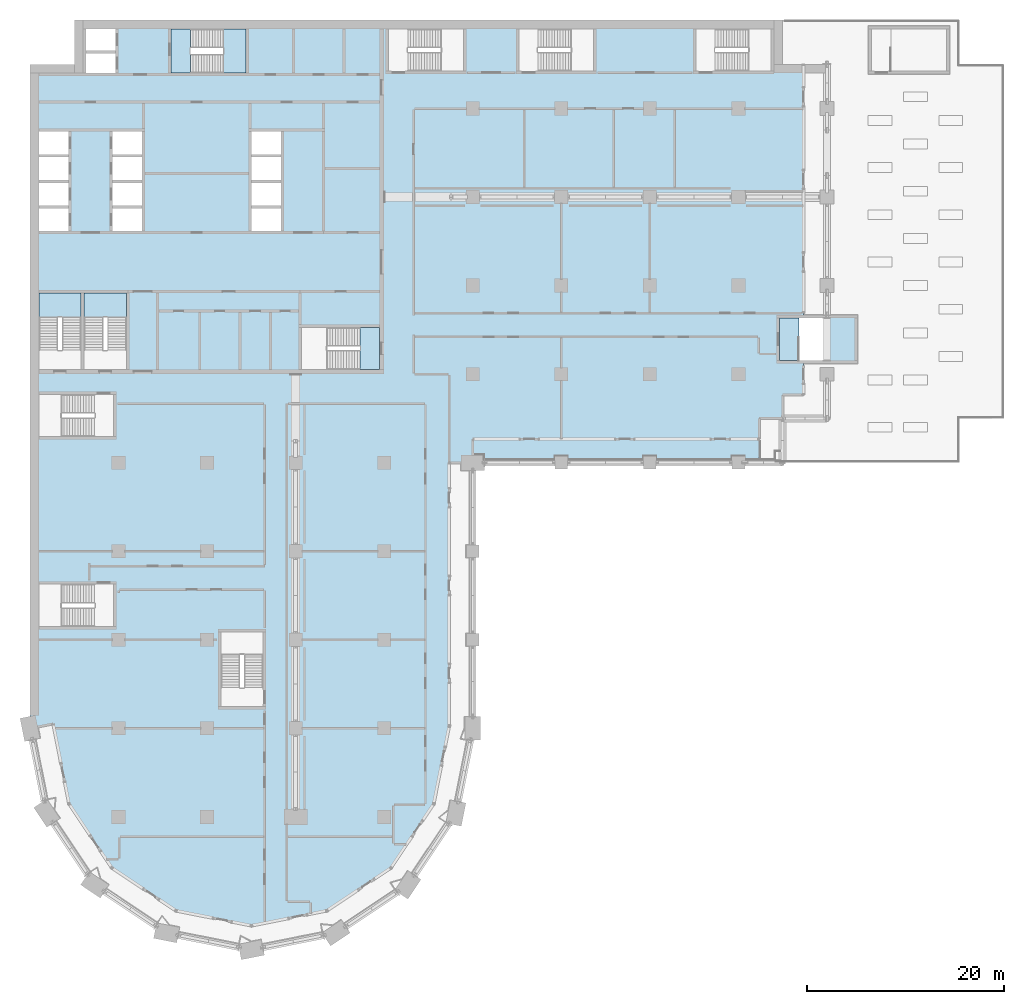
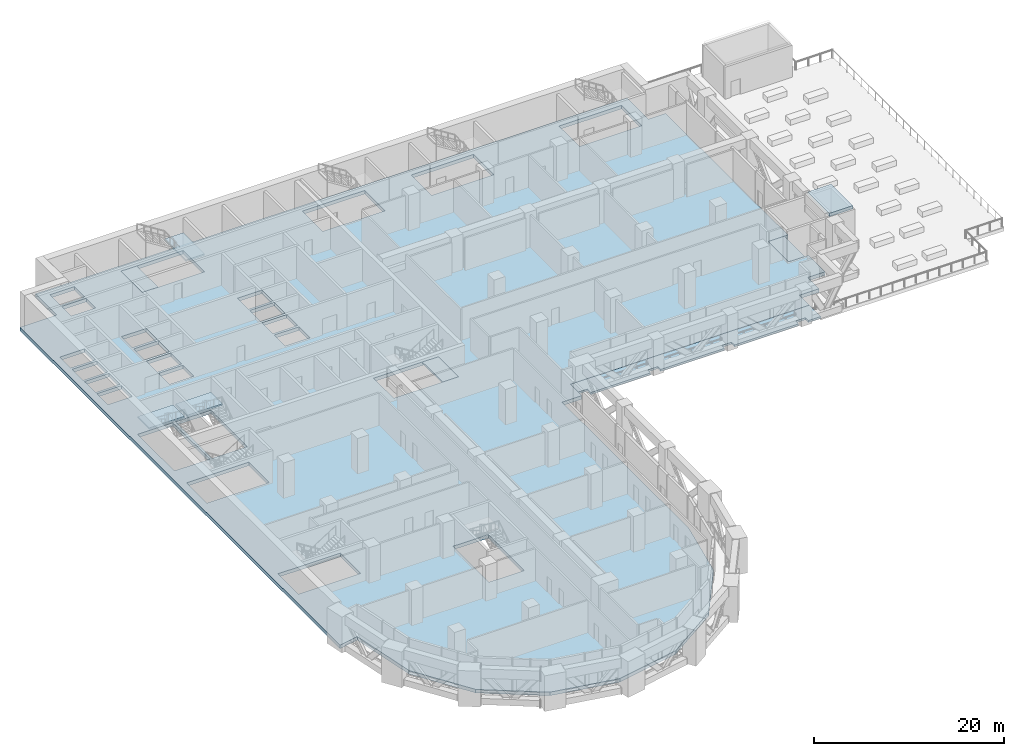
# One storey, part 6 of 24: 9 slabs, 3 elements without a shape of their own.
"""IFC4 building model written with IfcOpenShell, lengths in metres."""

from ifc_helpers import new_model, si_unit, direction, frame, origin, place, context, subcontext, project, spatial, polyline, outline, extrude, material, layer, layer_set, type_object, element, aggregate, save


model = new_model("IFC4")

# Units and contexts
model_context = context("Model", 3, precision=1e-05, world=origin(), true_north=direction((0.0, 1.0)))
body_context = subcontext(model_context, "Body", "Model", "MODEL_VIEW")
ifc_project = project(units=[si_unit("LENGTHUNIT", "METRE"), si_unit("AREAUNIT", "SQUARE_METRE"), si_unit("VOLUMEUNIT", "CUBIC_METRE"), si_unit("PLANEANGLEUNIT", "RADIAN"), si_unit("MASSUNIT", "GRAM", prefix="KILO")], contexts=[model_context])

# Site, building, storey
site_placement = place(None, origin())
site = spatial("IfcSite", under=ifc_project, at=site_placement, CompositionType="ELEMENT")
building_placement = place(site_placement, origin())
building = spatial("IfcBuilding", under=site, at=building_placement, Name="Hunhe Ridgeline Campus", CompositionType="ELEMENT")
storey_placement = place(building_placement, frame((0.0, 0.0, 80.199951171875)))
storey = spatial("IfcBuildingStorey", under=building, at=storey_placement, Name="L19", CompositionType="ELEMENT", Elevation=80.199951171875)

# Slabs
ifc_material = material(Name="Concrete C40", Category="concrete")
ifc_layer_1 = layer(ifc_material, 0.449951171875)
ifc_layer_set_1 = layer_set([ifc_layer_1], Name="Floor slab 450 Concrete C40")
slab_type_1 = type_object("IfcSlabType", Name="Floor slab 450 Concrete C40", PredefinedType="FLOOR", material=ifc_layer_set_1)
slab_1_placement = place(storey_placement, frame((0.0, 0.0, -0.449951171875)))
element("IfcSlab", 1, at=slab_1_placement, inside=storey, type_object=slab_type_1, Name="Floor slab L19 1", PredefinedType="FLOOR", context=body_context, shape_type="SweptSolid", body=[
    extrude(outline(polyline([(4.5, 94.5), (0.0, 94.5), (0.0, 27.0009765625), (2.354736328125, 27.46875), (3.974365234375, 19.326416015625), (8.321044921875, 12.821044921875), (14.826416015625, 8.474365234375), (22.5, 6.947998046875), (30.173583984375, 8.474365234375), (36.678955078125, 12.821044921875), (41.025634765625, 19.326416015625), (42.59912109375, 27.236572265625), (42.599365234375, 54.000732421875), (44.9990234375, 54.0009765625), (45.0, 56.40087890625), (74.09912109375, 56.40087890625), (74.099365234375, 58.500732421875), (76.4990234375, 58.5009765625), (76.499267578125, 60.900634765625), (78.59912109375, 60.90087890625), (78.59912109375, 64.39990234375), (76.199951171875, 64.39990234375), (76.199951171875, 68.699951171875), (78.59912109375, 68.699951171875), (78.59912109375, 94.5), (76.5, 94.5), (76.5, 99.0), (4.5, 99.0), (4.5, 94.5)]), holes=[polyline([(75.300048828125, 98.10009765625), (67.699951171875, 98.10009765625), (67.699951171875, 93.800048828125), (75.300048828125, 93.800048828125), (75.300048828125, 98.10009765625)]), polyline([(49.699951171875, 98.10009765625), (49.699951171875, 93.800048828125), (57.300048828125, 93.800048828125), (57.300048828125, 98.10009765625), (49.699951171875, 98.10009765625)]), polyline([(36.449951171875, 93.800048828125), (44.050048828125, 93.800048828125), (44.050048828125, 98.10009765625), (36.449951171875, 98.10009765625), (36.449951171875, 93.800048828125)]), polyline([(35.5, 63.5), (35.5, 67.75), (27.60009765625, 67.75), (27.60009765625, 63.5), (35.5, 63.5)]), polyline([(25.5, 80.14990234375), (25.5, 82.449951171875), (22.5, 82.449951171875), (22.5, 80.14990234375), (25.5, 80.14990234375)]), polyline([(25.5, 79.85009765625), (22.5, 79.85009765625), (22.5, 77.550048828125), (25.5, 77.550048828125), (25.5, 79.85009765625)]), polyline([(22.5, 87.64990234375), (22.5, 85.35009765625), (25.5, 85.35009765625), (25.5, 87.64990234375), (22.5, 87.64990234375)]), polyline([(22.5, 82.75), (25.5, 82.75), (25.5, 85.050048828125), (22.5, 85.050048828125), (22.5, 82.75)]), polyline([(23.699951171875, 29.199951171875), (23.699951171875, 36.800048828125), (19.39990234375, 36.800048828125), (19.39990234375, 29.199951171875), (23.699951171875, 29.199951171875)]), polyline([(14.35009765625, 93.60009765625), (21.949951171875, 93.60009765625), (21.949951171875, 98.10009765625), (14.35009765625, 98.10009765625), (14.35009765625, 93.60009765625)]), polyline([(8.39990234375, 82.75), (11.39990234375, 82.75), (11.39990234375, 85.050048828125), (8.39990234375, 85.050048828125), (8.39990234375, 82.75)]), polyline([(8.39990234375, 87.64990234375), (8.39990234375, 85.35009765625), (11.39990234375, 85.35009765625), (11.39990234375, 87.64990234375), (8.39990234375, 87.64990234375)]), polyline([(11.39990234375, 79.85009765625), (8.39990234375, 79.85009765625), (8.39990234375, 77.550048828125), (11.39990234375, 77.550048828125), (11.39990234375, 79.85009765625)]), polyline([(11.39990234375, 80.14990234375), (11.39990234375, 82.449951171875), (8.39990234375, 82.449951171875), (8.39990234375, 80.14990234375), (11.39990234375, 80.14990234375)]), polyline([(9.800048828125, 71.25), (5.5, 71.25), (5.5, 63.5), (9.800048828125, 63.5), (9.800048828125, 71.25)]), polyline([(8.699951171875, 95.89990234375), (8.699951171875, 98.10009765625), (5.699951171875, 98.10009765625), (5.699951171875, 95.89990234375), (8.699951171875, 95.89990234375)]), polyline([(8.699951171875, 95.60009765625), (5.699951171875, 95.60009765625), (5.699951171875, 93.60009765625), (8.699951171875, 93.60009765625), (8.699951171875, 95.60009765625)]), polyline([(0.89990234375, 37.35009765625), (8.5, 37.35009765625), (8.5, 41.64990234375), (0.89990234375, 41.64990234375), (0.89990234375, 37.35009765625)]), polyline([(0.89990234375, 60.949951171875), (0.89990234375, 56.64990234375), (8.5, 56.64990234375), (8.5, 60.949951171875), (0.89990234375, 60.949951171875)]), polyline([(0.89990234375, 71.25), (0.89990234375, 63.5), (5.199951171875, 63.5), (5.199951171875, 71.25), (0.89990234375, 71.25)]), polyline([(3.89990234375, 80.14990234375), (3.89990234375, 82.449951171875), (0.89990234375, 82.449951171875), (0.89990234375, 80.14990234375), (3.89990234375, 80.14990234375)]), polyline([(3.89990234375, 79.85009765625), (0.89990234375, 79.85009765625), (0.89990234375, 77.550048828125), (3.89990234375, 77.550048828125), (3.89990234375, 79.85009765625)]), polyline([(0.89990234375, 87.64990234375), (0.89990234375, 85.35009765625), (3.89990234375, 85.35009765625), (3.89990234375, 87.64990234375), (0.89990234375, 87.64990234375)]), polyline([(0.89990234375, 82.75), (3.89990234375, 82.75), (3.89990234375, 85.050048828125), (0.89990234375, 85.050048828125), (0.89990234375, 82.75)])]), origin(), (0.0, 0.0, 1.0), 0.449951171875),
])
ifc_layer_2 = layer(ifc_material, 0.25)
ifc_layer_set_2 = layer_set([ifc_layer_2], Name="Loggia slab 250 Concrete C40")
slab_type_2 = type_object("IfcSlabType", Name="Loggia slab 250 Concrete C40", PredefinedType="FLOOR", material=ifc_layer_set_2)
slab_2_placement = place(storey_placement, frame((0.0, 0.0, -0.25)))
element("IfcSlab", 2, at=slab_2_placement, inside=storey, type_object=slab_type_2, Name="Loggia slab 2", PredefinedType="FLOOR", context=body_context, shape_type="SweptSolid", body=[
    extrude(outline(polyline([(45.0, 56.39990234375), (45.0, 54.75), (46.10009765625, 54.75), (46.10009765625, 54.0), (53.39990234375, 54.0), (53.39990234375, 54.60009765625), (54.60009765625, 54.60009765625), (54.60009765625, 54.0), (62.39990234375, 54.0), (62.39990234375, 54.60009765625), (63.60009765625, 54.60009765625), (63.60009765625, 54.0), (71.39990234375, 54.0), (71.39990234375, 54.60009765625), (72.60009765625, 54.60009765625), (72.60009765625, 54.0), (74.094970703125, 54.0), (74.094970703125, 56.39990234375), (45.0, 56.39990234375)])), origin(), (0.0, 0.0, 1.0), 0.25),
])
ifc_layer_3 = layer(ifc_material, 0.35009765625)
ifc_layer_set_3 = layer_set([ifc_layer_3], Name="Reinforced concrete stair head roof slab Concrete C40")
slab_type_3 = type_object("IfcSlabType", Name="Reinforced concrete stair head roof slab Concrete C40", PredefinedType="ROOF", material=ifc_layer_set_3)
slab_3_placement = place(storey_placement, frame((0.0, 0.0, 4.199951171875)))
element("IfcSlab", 3, at=slab_3_placement, inside=storey, type_object=slab_type_3, Name="Stair E5 head roof", PredefinedType="ROOF", context=body_context, shape_type="SweptSolid", body=[
    extrude(outline(polyline([(83.949951171875, 64.25), (81.050048828125, 64.25), (81.050048828125, 68.85009765625), (83.949951171875, 68.85009765625), (83.949951171875, 64.25)])), origin(), (0.0, 0.0, 1.0), 0.400146484375),
])

# Stair, slab
stair_type = type_object("IfcStairType", Name="Reinforced concrete dog-leg stair 1950 Concrete C40", PredefinedType="HALF_TURN_STAIR", material=ifc_material)
stair_1_placement = place(storey_placement, origin())
stair_1 = element("IfcStair", 4, at=stair_1_placement, inside=storey, type_object=stair_type, Name="L19 S1", PredefinedType="HALF_TURN_STAIR")
ifc_layer_4 = layer(ifc_material, 0.199951171875)
ifc_layer_set_4 = layer_set([ifc_layer_4], Name="Reinforced concrete stair landing 200 Concrete C40")
slab_type_4 = type_object("IfcSlabType", Name="Reinforced concrete stair landing 200 Concrete C40", PredefinedType="LANDING", material=ifc_layer_set_4)
slab_4_placement = place(storey_placement, frame((0.0, 0.0, 2.10009765625)))
slab_4 = element("IfcSlab", 5, at=slab_4_placement, type_object=slab_type_4, Name="ST1 landing 1", PredefinedType="LANDING", context=body_context, shape_type="SweptSolid", body=[
    extrude(outline(polyline([(19.659912109375, 93.60009765625), (21.949951171875, 93.60009765625), (21.949951171875, 98.10009765625), (19.659912109375, 98.10009765625), (19.659912109375, 93.60009765625)])), origin(), (0.0, 0.0, 1.0), 0.199951171875),
])
aggregate(stair_1, [slab_4])

# Slabs
slab_5_placement = place(storey_placement, frame((0.0, 0.0, -0.199951171875)))
element("IfcSlab", 6, at=slab_5_placement, inside=storey, type_object=slab_type_4, Name="L19 stair S1 floor landing", PredefinedType="LANDING", context=body_context, shape_type="SweptSolid", body=[
    extrude(outline(polyline([(14.35009765625, 93.60009765625), (16.300048828125, 93.60009765625), (16.300048828125, 98.10009765625), (14.35009765625, 98.10009765625), (14.35009765625, 93.60009765625)])), origin(), (0.0, 0.0, 1.0), 0.199951171875),
])
slab_6_placement = place(storey_placement, frame((0.0, 0.0, -0.199951171875)))
element("IfcSlab", 7, at=slab_6_placement, inside=storey, type_object=slab_type_4, Name="L19 stair S2 floor landing", PredefinedType="LANDING", context=body_context, shape_type="SweptSolid", body=[
    extrude(outline(polyline([(35.5, 67.75), (33.550048828125, 67.75), (33.550048828125, 63.5), (35.5, 63.5), (35.5, 67.75)])), origin(), (0.0, 0.0, 1.0), 0.199951171875),
])

# Stair, slab
stair_2_placement = place(storey_placement, origin())
stair_2 = element("IfcStair", 8, at=stair_2_placement, inside=storey, type_object=stair_type, Name="L19 S3", PredefinedType="HALF_TURN_STAIR")
slab_7_placement = place(storey_placement, frame((0.0, 0.0, 2.10009765625)))
slab_7 = element("IfcSlab", 9, at=slab_7_placement, type_object=slab_type_4, Name="ST3 landing 1", PredefinedType="LANDING", context=body_context, shape_type="SweptSolid", body=[
    extrude(outline(polyline([(5.199951171875, 68.81005859375), (5.199951171875, 71.25), (0.89990234375, 71.25), (0.89990234375, 68.81005859375), (5.199951171875, 68.81005859375)])), origin(), (0.0, 0.0, 1.0), 0.199951171875),
])
aggregate(stair_2, [slab_7])

stair_3_placement = place(storey_placement, origin())
stair_3 = element("IfcStair", 10, at=stair_3_placement, inside=storey, type_object=stair_type, Name="L19 S4", PredefinedType="HALF_TURN_STAIR")
slab_8_placement = place(storey_placement, frame((0.0, 0.0, 2.10009765625)))
slab_8 = element("IfcSlab", 11, at=slab_8_placement, type_object=slab_type_4, Name="ST4 landing 1", PredefinedType="LANDING", context=body_context, shape_type="SweptSolid", body=[
    extrude(outline(polyline([(9.800048828125, 68.81005859375), (9.800048828125, 71.25), (5.5, 71.25), (5.5, 68.81005859375), (9.800048828125, 68.81005859375)])), origin(), (0.0, 0.0, 1.0), 0.199951171875),
])
aggregate(stair_3, [slab_8])

# Slab
slab_9_placement = place(storey_placement, frame((0.0, 0.0, -0.199951171875)))
element("IfcSlab", 12, at=slab_9_placement, inside=storey, type_object=slab_type_4, Name="L19 stair E5 floor landing", PredefinedType="LANDING", context=body_context, shape_type="SweptSolid", body=[
    extrude(outline(polyline([(76.199951171875, 64.39990234375), (78.14990234375, 64.39990234375), (78.14990234375, 68.699951171875), (76.199951171875, 68.699951171875), (76.199951171875, 64.39990234375)])), origin(), (0.0, 0.0, 1.0), 0.199951171875),
])

save(model, "model.ifc")
